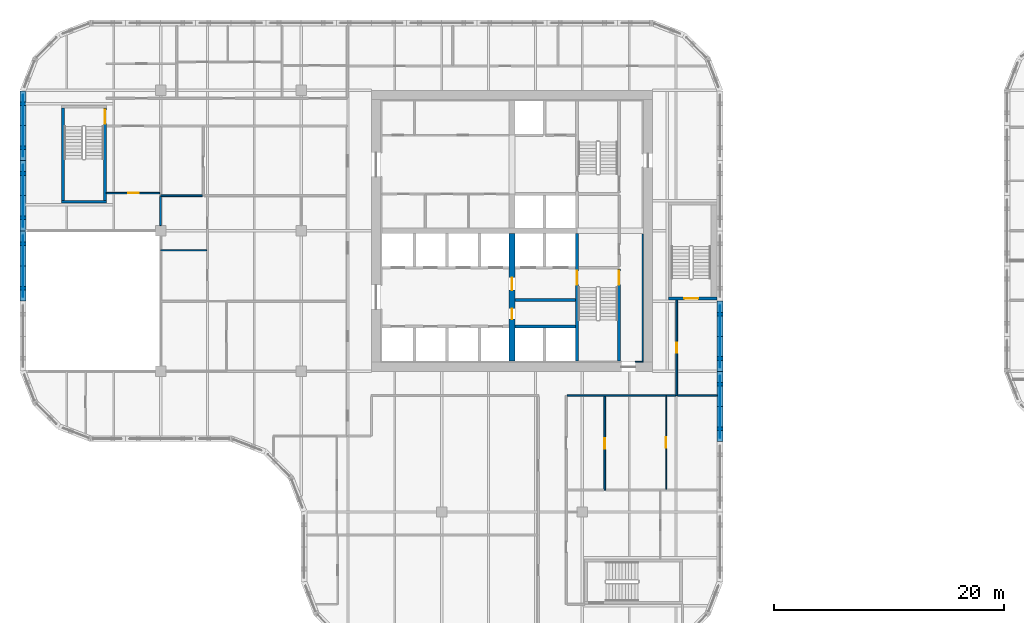
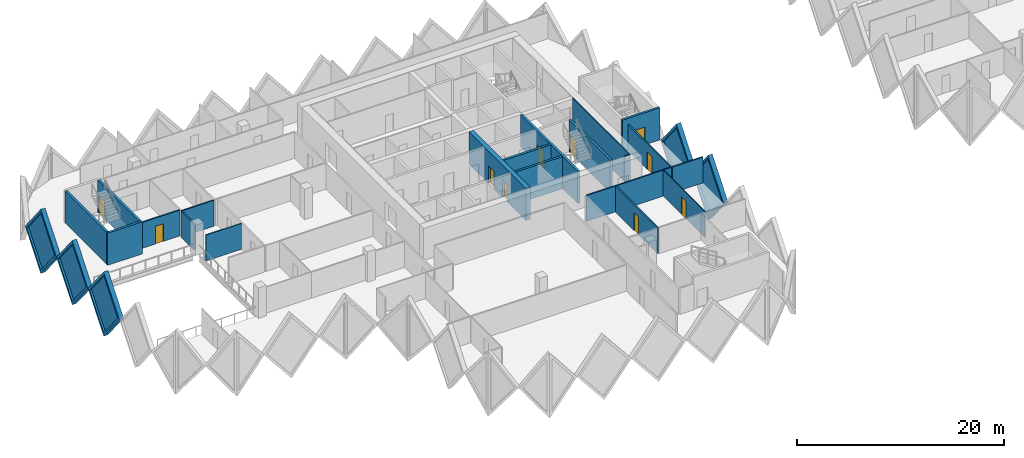
# One storey, part 7 of 18: 25 walls, 10 doors, 5 plates, 15 openings.
"""IFC4 building model written with IfcOpenShell, lengths in metres."""

from ifc_helpers import new_model, si_unit, direction, frame, frame_2d, origin, place, context, subcontext, project, spatial, polyline, rectangle, outline, extrude, faceted_brep, source, transform, mapped, material, layer, layer_set, type_object, element, fill, save


model = new_model("IFC4")

# Units and contexts
model_context = context("Model", 3, precision=1e-05, world=origin(), true_north=direction((0.0, 1.0)))
body_context = subcontext(model_context, "Body", "Model", "MODEL_VIEW")
ifc_project = project(units=[si_unit("LENGTHUNIT", "METRE"), si_unit("AREAUNIT", "SQUARE_METRE"), si_unit("VOLUMEUNIT", "CUBIC_METRE"), si_unit("PLANEANGLEUNIT", "RADIAN"), si_unit("MASSUNIT", "GRAM", prefix="KILO")], contexts=[model_context])

# Site, building, storey
site_placement = place(None, origin())
site = spatial("IfcSite", under=ifc_project, at=site_placement, CompositionType="ELEMENT")
building_placement = place(site_placement, origin())
building = spatial("IfcBuilding", under=site, at=building_placement, Name="Tessera Gate Towers", CompositionType="ELEMENT")
storey_placement = place(building_placement, frame((0.0, 0.0, 99.0)))
storey = spatial("IfcBuildingStorey", under=building, at=storey_placement, Name="L24", CompositionType="ELEMENT", Elevation=99.0)

# Wall, opening, door
ifc_material_1 = material(Name="Concrete C40/50", Category="concrete")
ifc_layer_1 = layer(ifc_material_1, 0.25)
ifc_layer_set_1 = layer_set([ifc_layer_1], Name="CORE ENCLOSURE WALL 250")
wall_type_1 = type_object("IfcWallType", Name="CORE ENCLOSURE WALL 250", PredefinedType="SOLIDWALL", material=ifc_layer_set_1)
wall_1_placement = place(storey_placement, frame((48.35009765625, 36.35009765625, 0.0), z_axis=(0.0, 0.0, 1.0), x_axis=(0.0, -1.0, 0.0)))
wall_1 = element("IfcWall", 1, at=wall_1_placement, inside=storey, type_object=wall_type_1, Name="L24 shaft and stair enclosure wall", PredefinedType="SOLIDWALL", context=body_context, shape_type="SweptSolid", body=[
    extrude(rectangle(XDim=11.050048828125, YDim=0.25, at=frame_2d((5.52490234375, 0.0))), origin(), (0.0, 0.0, 1.0), 3.800048828125),
])
shared_shape_1 = source(origin(), body_context, "Body", "SweptSolid", [
    extrude(rectangle(XDim=1.199951171875, YDim=2.10009765625, at=frame_2d((0.60009765625, 1.050048828125))), frame((0.0, 0.135009765625, 0.0), z_axis=(0.0, -1.0, 0.0), x_axis=(1.0, 0.0, 0.0)), (0.0, 0.0, 1.0), 0.27001953125),
])
opening_1_placement = place(wall_1_placement, frame((3.22509765625, 0.0, 0.0)))
opening_1 = element("IfcOpeningElement", 2, at=opening_1_placement, cuts=wall_1, Name="Opening SD-ST1-1", PredefinedType="OPENING", context=body_context, shape_type="MappedRepresentation", body=[
    mapped(shared_shape_1, transform((0.0, 0.0, 0.0), scale=1.0)),
])
ifc_material_2 = material(Name="Hollow steel fire door", Category="steel")
door_type_1 = type_object("IfcDoorType", Name="CORE DOOR SD 1200x2100", OperationType="NOTDEFINED", PredefinedType="DOOR", material=ifc_material_2)
shared_shape_2 = source(origin(), body_context, "Body", "SweptSolid", [
    extrude(rectangle(XDim=1.199951171875, YDim=2.10009765625, at=frame_2d((0.60009765625, 1.050048828125))), frame((0.0, 0.02490234375, 0.0), z_axis=(0.0, -1.0, 0.0), x_axis=(1.0, 0.0, 0.0)), (0.0, 0.0, 1.0), 0.050048828125),
])
door_1_placement = place(opening_1_placement, origin())
door_1 = element("IfcDoor", 3, at=door_1_placement, inside=storey, type_object=door_type_1, Name="Stair door", OperationType="SINGLE_SWING_LEFT", OverallHeight=2.10009765625, OverallWidth=1.199951171875, PredefinedType="DOOR", context=body_context, shape_type="MappedRepresentation", body=[
    mapped(shared_shape_2, transform((0.0, 0.0, 0.0), scale=1.0)),
])
fill(opening_1, door_1)

# Wall
wall_2_placement = place(storey_placement, frame((42.949951171875, 28.300048828125, 0.0), z_axis=(0.0, 0.0, 1.0), x_axis=(1.0, 0.0, 0.0)))
element("IfcWall", 4, at=wall_2_placement, inside=storey, type_object=wall_type_1, Name="L24 shaft and stair enclosure wall", PredefinedType="SOLIDWALL", context=body_context, shape_type="SweptSolid", body=[
    extrude(rectangle(XDim=5.275146484375, YDim=0.25, at=frame_2d((2.6376953125, 0.0))), origin(), (0.0, 0.0, 1.0), 3.800048828125),
])

# Wall, opening, door
wall_3_placement = place(storey_placement, frame((52.0, 25.300048828125, 0.0), z_axis=(0.0, 0.0, 1.0), x_axis=(0.0, 1.0, 0.0)))
wall_3 = element("IfcWall", 5, at=wall_3_placement, inside=storey, type_object=wall_type_1, Name="L24 shaft and stair enclosure wall", PredefinedType="SOLIDWALL", context=body_context, shape_type="SweptSolid", body=[
    extrude(rectangle(XDim=7.974853515625, YDim=0.25, at=frame_2d((3.9873046875, 0.0))), origin(), (0.0, 0.0, 1.0), 3.800048828125),
])
opening_2_placement = place(wall_3_placement, frame((6.625, 0.0, 0.0)))
opening_2 = element("IfcOpeningElement", 6, at=opening_2_placement, cuts=wall_3, Name="Opening SD-ST1-2", PredefinedType="OPENING", context=body_context, shape_type="MappedRepresentation", body=[
    mapped(shared_shape_1, transform((0.0, 0.0, 0.0), scale=1.0)),
])
door_2_placement = place(opening_2_placement, origin())
door_2 = element("IfcDoor", 7, at=door_2_placement, inside=storey, type_object=door_type_1, Name="Stair door", OperationType="SINGLE_SWING_RIGHT", OverallHeight=2.10009765625, OverallWidth=1.199951171875, PredefinedType="DOOR", context=body_context, shape_type="MappedRepresentation", body=[
    mapped(shared_shape_2, transform((0.0, 0.0, 0.0), scale=1.0)),
])
fill(opening_2, door_2)

# Walls
wall_4_placement = place(storey_placement, frame((42.949951171875, 30.60009765625, 0.0), z_axis=(0.0, 0.0, 1.0), x_axis=(1.0, 0.0, 0.0)))
element("IfcWall", 8, at=wall_4_placement, inside=storey, type_object=wall_type_1, Name="L24 shaft and stair enclosure wall", PredefinedType="SOLIDWALL", context=body_context, shape_type="SweptSolid", body=[
    extrude(rectangle(XDim=5.275146484375, YDim=0.25, at=frame_2d((2.6376953125, 0.0))), origin(), (0.0, 0.0, 1.0), 3.800048828125),
])
wall_5_placement = place(storey_placement, frame((7.5, 39.125, 0.0), z_axis=(0.0, 0.0, 1.0), x_axis=(-1.0, 0.0, 0.0)))
element("IfcWall", 9, at=wall_5_placement, inside=storey, type_object=wall_type_1, Name="L24 ST3 enclosure wall", PredefinedType="SOLIDWALL", context=body_context, shape_type="SweptSolid", body=[
    extrude(rectangle(XDim=3.89990234375, YDim=0.25, at=frame_2d((1.949951171875, 0.0))), origin(), (0.0, 0.0, 1.0), 3.800048828125),
])
wall_6_placement = place(storey_placement, frame((3.72509765625, 39.25, 0.0), z_axis=(0.0, 0.0, 1.0), x_axis=(0.0, 1.0, 0.0)))
element("IfcWall", 10, at=wall_6_placement, inside=storey, type_object=wall_type_1, Name="L24 ST3 enclosure wall", PredefinedType="SOLIDWALL", context=body_context, shape_type="SweptSolid", body=[
    extrude(rectangle(XDim=8.0, YDim=0.25, at=frame_2d((4.0, 0.0))), origin(), (0.0, 0.0, 1.0), 3.800048828125),
])

# Wall, opening, door
wall_7_placement = place(storey_placement, frame((7.375, 47.25, 0.0), z_axis=(0.0, 0.0, 1.0), x_axis=(0.0, -1.0, 0.0)))
wall_7 = element("IfcWall", 11, at=wall_7_placement, inside=storey, type_object=wall_type_1, Name="L24 ST3 enclosure wall", PredefinedType="SOLIDWALL", context=body_context, shape_type="SweptSolid", body=[
    extrude(rectangle(XDim=8.0, YDim=0.25, at=frame_2d((4.0, 0.0))), origin(), (0.0, 0.0, 1.0), 3.800048828125),
])
opening_3_placement = place(wall_7_placement, frame((0.14990234375, 0.0, 0.0)))
opening_3 = element("IfcOpeningElement", 12, at=opening_3_placement, cuts=wall_7, Name="Opening SD-ST3-1", PredefinedType="OPENING", context=body_context, shape_type="MappedRepresentation", body=[
    mapped(shared_shape_1, transform((0.0, 0.0, 0.0), scale=1.0)),
])
door_3_placement = place(opening_3_placement, origin())
door_3 = element("IfcDoor", 13, at=door_3_placement, inside=storey, type_object=door_type_1, Name="Stair door", OperationType="SINGLE_SWING_LEFT", OverallHeight=2.10009765625, OverallWidth=1.199951171875, PredefinedType="DOOR", context=body_context, shape_type="MappedRepresentation", body=[
    mapped(shared_shape_2, transform((0.0, 0.0, 0.0), scale=1.0)),
])
fill(opening_3, door_3)

wall_8_placement = place(storey_placement, frame((60.5, 30.72509765625, 0.0), z_axis=(0.0, 0.0, 1.0), x_axis=(-1.0, 0.0, 0.0)))
wall_8 = element("IfcWall", 14, at=wall_8_placement, inside=storey, type_object=wall_type_1, Name="L24 ST5 enclosure wall", PredefinedType="SOLIDWALL", context=body_context, shape_type="SweptSolid", body=[
    extrude(rectangle(XDim=4.199951171875, YDim=0.25, at=frame_2d((2.10009765625, 0.0))), origin(), (0.0, 0.0, 1.0), 3.800048828125),
])
opening_4_placement = place(wall_8_placement, frame((1.64990234375, 0.0, 0.0)))
opening_4 = element("IfcOpeningElement", 15, at=opening_4_placement, cuts=wall_8, Name="Opening SD-ST5-1", PredefinedType="OPENING", context=body_context, shape_type="MappedRepresentation", body=[
    mapped(shared_shape_1, transform((0.0, 0.0, 0.0), scale=1.0)),
])
door_4_placement = place(opening_4_placement, origin())
door_4 = element("IfcDoor", 16, at=door_4_placement, inside=storey, type_object=door_type_1, Name="Stair door", OperationType="SINGLE_SWING_RIGHT", OverallHeight=2.10009765625, OverallWidth=1.199951171875, PredefinedType="DOOR", context=body_context, shape_type="MappedRepresentation", body=[
    mapped(shared_shape_2, transform((0.0, 0.0, 0.0), scale=1.0)),
])
fill(opening_4, door_4)

# Wall, openings, doors
ifc_material_3 = material(Name="Concrete C60/75", Category="concrete")
ifc_layer_2 = layer(ifc_material_3, 0.5)
ifc_layer_set_2 = layer_set([ifc_layer_2], Name="CORE SPINE WALL 500 C60/75")
wall_type_2 = type_object("IfcWallType", Name="CORE SPINE WALL 500 C60/75", PredefinedType="SHEAR", material=ifc_layer_set_2)
wall_9_placement = place(storey_placement, frame((42.699951171875, 36.35009765625, 0.0), z_axis=(0.0, 0.0, 1.0), x_axis=(0.0, -1.0, 0.0)))
wall_9 = element("IfcWall", 17, at=wall_9_placement, inside=storey, type_object=wall_type_2, Name="Core wall spine L24", PredefinedType="SHEAR", context=body_context, shape_type="SweptSolid", body=[
    extrude(rectangle(XDim=11.050048828125, YDim=0.5, at=frame_2d((5.52490234375, 0.0))), origin(), (0.0, 0.0, 1.0), 3.800048828125),
])
shared_shape_3 = source(origin(), body_context, "Body", "SweptSolid", [
    extrude(rectangle(XDim=0.89990234375, YDim=2.10009765625, at=frame_2d((0.449951171875, 1.050048828125))), frame((0.0, 0.260009765625, 0.0), z_axis=(0.0, -1.0, 0.0), x_axis=(1.0, 0.0, 0.0)), (0.0, 0.0, 1.0), 0.52001953125),
])
opening_5_placement = place(wall_9_placement, frame((6.5, 0.0, 0.0)))
opening_5 = element("IfcOpeningElement", 18, at=opening_5_placement, cuts=wall_9, Name="Opening RD-T1-16-05", PredefinedType="OPENING", context=body_context, shape_type="MappedRepresentation", body=[
    mapped(shared_shape_3, transform((0.0, 0.0, 0.0), scale=1.0)),
])
shared_shape_4 = source(origin(), body_context, "Body", "SweptSolid", [
    extrude(rectangle(XDim=1.10009765625, YDim=2.10009765625, at=frame_2d((0.550048828125, 1.050048828125))), frame((0.0, 0.260009765625, 0.0), z_axis=(0.0, -1.0, 0.0), x_axis=(1.0, 0.0, 0.0)), (0.0, 0.0, 1.0), 0.52001953125),
])
opening_6_placement = place(wall_9_placement, frame((3.800048828125, 0.0, 0.0)))
opening_6 = element("IfcOpeningElement", 19, at=opening_6_placement, cuts=wall_9, Name="Opening FD-T1-16-06", PredefinedType="OPENING", context=body_context, shape_type="MappedRepresentation", body=[
    mapped(shared_shape_4, transform((0.0, 0.0, 0.0), scale=1.0)),
])
ifc_material_4 = material(Name="Hollow steel fire door", Category="steel")
door_type_2 = type_object("IfcDoorType", Name="CORE DOOR RD 900x2100", OperationType="NOTDEFINED", PredefinedType="DOOR", material=ifc_material_4)
shared_shape_5 = source(origin(), body_context, "Body", "SweptSolid", [
    extrude(rectangle(XDim=0.89990234375, YDim=2.10009765625, at=frame_2d((0.449951171875, 1.050048828125))), frame((0.0, 0.02490234375, 0.0), z_axis=(0.0, -1.0, 0.0), x_axis=(1.0, 0.0, 0.0)), (0.0, 0.0, 1.0), 0.050048828125),
])
door_5_placement = place(opening_5_placement, origin())
door_5 = element("IfcDoor", 20, at=door_5_placement, inside=storey, type_object=door_type_2, Name="Core room door", OperationType="SINGLE_SWING_RIGHT", OverallHeight=2.10009765625, OverallWidth=0.89990234375, PredefinedType="DOOR", context=body_context, shape_type="MappedRepresentation", body=[
    mapped(shared_shape_5, transform((0.0, 0.0, 0.0), scale=1.0)),
])
fill(opening_5, door_5)
ifc_material_5 = material(Name="Hollow steel fire door", Category="steel")
door_type_3 = type_object("IfcDoorType", Name="CORE DOOR FD 1100x2100", OperationType="NOTDEFINED", PredefinedType="DOOR", material=ifc_material_5)
shared_shape_6 = source(origin(), body_context, "Body", "SweptSolid", [
    extrude(rectangle(XDim=1.10009765625, YDim=2.10009765625, at=frame_2d((0.550048828125, 1.050048828125))), frame((0.0, 0.02490234375, 0.0), z_axis=(0.0, -1.0, 0.0), x_axis=(1.0, 0.0, 0.0)), (0.0, 0.0, 1.0), 0.050048828125),
])
door_6_placement = place(opening_6_placement, origin())
door_6 = element("IfcDoor", 21, at=door_6_placement, inside=storey, type_object=door_type_3, Name="Fire-fighting lobby door", OperationType="SINGLE_SWING_LEFT", OverallHeight=2.10009765625, OverallWidth=1.10009765625, PredefinedType="DOOR", context=body_context, shape_type="MappedRepresentation", body=[
    mapped(shared_shape_6, transform((0.0, 0.0, 0.0), scale=1.0)),
])
fill(opening_6, door_6)

# Walls
ifc_material_6 = material(Name="Concrete C60/75", Category="concrete")
ifc_layer_3 = layer(ifc_material_6, 0.10009765625)
ifc_layer_set_3 = layer_set([ifc_layer_3], Name="CORE WALL THICKENING 100")
wall_type_3 = type_object("IfcWallType", Name="CORE WALL THICKENING 100", PredefinedType="SOLIDWALL", material=ifc_layer_set_3)
wall_10_placement = place(storey_placement, frame((53.39990234375, 25.25, 0.0), z_axis=(0.0, 0.0, 1.0), x_axis=(1.0, 0.0, 0.0)))
element("IfcWall", 22, at=wall_10_placement, inside=storey, type_object=wall_type_3, Name="Core wall thickening S L24", PredefinedType="SOLIDWALL", context=body_context, shape_type="SweptSolid", body=[
    extrude(rectangle(XDim=0.7001953125, YDim=0.10009765625, at=frame_2d((0.35009765625, 0.0))), origin(), (0.0, 0.0, 1.0), 3.800048828125),
])
wall_11_placement = place(storey_placement, frame((54.050048828125, 25.300048828125, 0.0), z_axis=(0.0, 0.0, 1.0), x_axis=(0.0, 1.0, 0.0)))
element("IfcWall", 23, at=wall_11_placement, inside=storey, type_object=wall_type_3, Name="Core wall thickening E L24", PredefinedType="SOLIDWALL", context=body_context, shape_type="SweptSolid", body=[
    extrude(rectangle(XDim=11.02001953125, YDim=0.10009765625, at=frame_2d((5.510009765625, 0.0))), origin(), (0.0, 0.0, 1.0), 3.800048828125),
])
ifc_material_7 = material(Name="Gypsum board on steel studs, mineral wool", Category="steel")
ifc_layer_4 = layer(ifc_material_7, 0.14990234375)
ifc_layer_set_4 = layer_set([ifc_layer_4], Name="CORRIDOR WALL 150")
wall_type_4 = type_object("IfcWallType", Name="CORRIDOR WALL 150", PredefinedType="PARTITIONING", material=ifc_layer_set_4)
wall_12_placement = place(storey_placement, frame((47.47607421875, 22.300048828125, 0.0), z_axis=(0.0, 0.0, 1.0), x_axis=(1.0, 0.0, 0.0)))
element("IfcWall", 24, at=wall_12_placement, inside=storey, type_object=wall_type_4, Name="T1-L24-PW-024", PredefinedType="PARTITIONING", context=body_context, shape_type="SweptSolid", body=[
    extrude(rectangle(XDim=9.447998046875, YDim=0.14990234375, at=frame_2d((4.72412109375, 0.0))), origin(), (0.0, 0.0, 1.0), 3.06689453125),
])

# Wall, opening, door
wall_13_placement = place(storey_placement, frame((57.0, 30.60009765625, 0.0), z_axis=(0.0, 0.0, 1.0), x_axis=(0.0, -1.0, 0.0)))
wall_13 = element("IfcWall", 25, at=wall_13_placement, inside=storey, type_object=wall_type_4, Name="T1-L24-PW-025", PredefinedType="PARTITIONING", context=body_context, shape_type="SweptSolid", body=[
    extrude(rectangle(XDim=8.300048828125, YDim=0.14990234375, at=frame_2d((4.14990234375, 0.0))), origin(), (0.0, 0.0, 1.0), 3.06689453125),
])
shared_shape_7 = source(origin(), body_context, "Body", "SweptSolid", [
    extrude(rectangle(XDim=0.89990234375, YDim=2.10009765625, at=frame_2d((0.449951171875, 1.050048828125))), frame((0.0, 0.0849609375, 0.0), z_axis=(0.0, -1.0, 0.0), x_axis=(1.0, 0.0, 0.0)), (0.0, 0.0, 1.0), 0.169921875),
])
opening_7_placement = place(wall_13_placement, frame((3.699951171875, 0.0, 0.0)))
opening_7 = element("IfcOpeningElement", 26, at=opening_7_placement, cuts=wall_13, Name="Opening D890FD60-A09-06", PredefinedType="OPENING", context=body_context, shape_type="MappedRepresentation", body=[
    mapped(shared_shape_7, transform((0.0, 0.0, 0.0), scale=1.0)),
])
ifc_material_8 = material(Name="Timber door leaf in steel frame", Category="steel")
door_type_4 = type_object("IfcDoorType", Name="CORRIDOR DOOR 900 FD60", OperationType="NOTDEFINED", PredefinedType="DOOR", material=ifc_material_8)
door_7_placement = place(opening_7_placement, origin())
door_7 = element("IfcDoor", 27, at=door_7_placement, inside=storey, type_object=door_type_4, Name="T1-L24-PD-023", OperationType="SINGLE_SWING_RIGHT", OverallHeight=2.10009765625, OverallWidth=0.89990234375, PredefinedType="DOOR", context=body_context, shape_type="MappedRepresentation", body=[
    mapped(shared_shape_5, transform((0.0, 0.0, 0.0), scale=1.0)),
])
fill(opening_7, door_7)

ifc_material_9 = material(Name="Gypsum board on steel studs", Category="steel")
ifc_layer_5 = layer(ifc_material_9, 0.10009765625)
ifc_layer_set_5 = layer_set([ifc_layer_5], Name="PARTITION 100")
wall_type_5 = type_object("IfcWallType", Name="PARTITION 100", PredefinedType="PARTITIONING", material=ifc_layer_set_5)
wall_14_placement = place(storey_placement, frame((56.076904296875, 22.22412109375, 0.0), z_axis=(0.0, 0.0, 1.0), x_axis=(0.0, -1.0, 0.0)))
wall_14 = element("IfcWall", 28, at=wall_14_placement, inside=storey, type_object=wall_type_5, Name="T1-L24-PW-015", PredefinedType="PARTITIONING", context=body_context, shape_type="SweptSolid", body=[
    extrude(rectangle(XDim=8.048095703125, YDim=0.10009765625, at=frame_2d((4.02392578125, 0.0))), origin(), (0.0, 0.0, 1.0), 3.06689453125),
])
shared_shape_8 = source(origin(), body_context, "Body", "SweptSolid", [
    extrude(rectangle(XDim=0.89990234375, YDim=2.10009765625, at=frame_2d((0.449951171875, 1.050048828125))), frame((0.0, 0.06005859375, 0.0), z_axis=(0.0, -1.0, 0.0), x_axis=(1.0, 0.0, 0.0)), (0.0, 0.0, 1.0), 0.1201171875),
])
opening_8_placement = place(wall_14_placement, frame((3.548095703125, 0.0, 0.0)))
opening_8 = element("IfcOpeningElement", 29, at=opening_8_placement, cuts=wall_14, Name="Opening D190-A09-10", PredefinedType="OPENING", context=body_context, shape_type="MappedRepresentation", body=[
    mapped(shared_shape_8, transform((0.0, 0.0, 0.0), scale=1.0)),
])
ifc_material_10 = material(Name="Timber door leaf in steel frame", Category="steel")
door_type_5 = type_object("IfcDoorType", Name="INTERNAL DOOR 900 NOT RATED", OperationType="NOTDEFINED", PredefinedType="DOOR", material=ifc_material_10)
door_8_placement = place(opening_8_placement, origin())
door_8 = element("IfcDoor", 30, at=door_8_placement, inside=storey, type_object=door_type_5, Name="T1-L24-PD-020", OperationType="SINGLE_SWING_RIGHT", OverallHeight=2.10009765625, OverallWidth=0.89990234375, PredefinedType="DOOR", context=body_context, shape_type="MappedRepresentation", body=[
    mapped(shared_shape_5, transform((0.0, 0.0, 0.0), scale=1.0)),
])
fill(opening_8, door_8)

# Wall
wall_15_placement = place(storey_placement, frame((12.199951171875, 34.919921875, 0.0), z_axis=(0.0, 0.0, 1.0), x_axis=(1.0, 0.0, 0.0)))
element("IfcWall", 31, at=wall_15_placement, inside=storey, type_object=wall_type_5, Name="T1-L24-PW-035", PredefinedType="PARTITIONING", context=body_context, shape_type="SweptSolid", body=[
    extrude(rectangle(XDim=3.9990234375, YDim=0.10009765625, at=frame_2d((1.99951171875, 0.0))), origin(), (0.0, 0.0, 1.0), 3.06689453125),
])

# Wall, opening, door
ifc_material_11 = material(Name="Gypsum board on steel studs, mineral wool", Category="steel")
ifc_layer_6 = layer(ifc_material_11, 0.14990234375)
ifc_layer_set_6 = layer_set([ifc_layer_6], Name="TENANCY WALL 150")
wall_type_6 = type_object("IfcWallType", Name="TENANCY WALL 150", PredefinedType="PARTITIONING", material=ifc_layer_set_6)
wall_16_placement = place(storey_placement, frame((50.75, 22.22412109375, 0.0), z_axis=(0.0, 0.0, 1.0), x_axis=(0.0, -1.0, 0.0)))
wall_16 = element("IfcWall", 32, at=wall_16_placement, inside=storey, type_object=wall_type_6, Name="T1-L24-PW-013", PredefinedType="PARTITIONING", context=body_context, shape_type="SweptSolid", body=[
    extrude(rectangle(XDim=8.1240234375, YDim=0.14990234375, at=frame_2d((4.06201171875, 0.0))), origin(), (0.0, 0.0, 1.0), 3.06689453125),
])
opening_9_placement = place(wall_16_placement, frame((3.6240234375, 0.0, 0.0)))
opening_9 = element("IfcOpeningElement", 33, at=opening_9_placement, cuts=wall_16, Name="Opening D190-A09-11", PredefinedType="OPENING", context=body_context, shape_type="MappedRepresentation", body=[
    mapped(shared_shape_7, transform((0.0, 0.0, 0.0), scale=1.0)),
])
door_9_placement = place(opening_9_placement, origin())
door_9 = element("IfcDoor", 34, at=door_9_placement, inside=storey, type_object=door_type_5, Name="T1-L24-PD-021", OperationType="SINGLE_SWING_RIGHT", OverallHeight=2.10009765625, OverallWidth=0.89990234375, PredefinedType="DOOR", context=body_context, shape_type="MappedRepresentation", body=[
    mapped(shared_shape_5, transform((0.0, 0.0, 0.0), scale=1.0)),
])
fill(opening_9, door_9)

# Walls
wall_17_placement = place(storey_placement, frame((57.075927734375, 22.300048828125, 0.0), z_axis=(0.0, 0.0, 1.0), x_axis=(1.0, 0.0, 0.0)))
element("IfcWall", 35, at=wall_17_placement, inside=storey, type_object=wall_type_6, Name="T1-L24-PW-026", PredefinedType="PARTITIONING", context=body_context, shape_type="SweptSolid", body=[
    extrude(rectangle(XDim=3.424072265625, YDim=0.14990234375, at=frame_2d((1.7119140625, 0.0))), origin(), (0.0, 0.0, 1.0), 3.06689453125),
])
wall_18_placement = place(storey_placement, frame((12.199951171875, 37.051025390625, 0.0), z_axis=(0.0, 0.0, 1.0), x_axis=(0.0, 1.0, 0.0)))
element("IfcWall", 36, at=wall_18_placement, inside=storey, type_object=wall_type_6, Name="T1-L24-PW-036", PredefinedType="PARTITIONING", context=body_context, shape_type="SweptSolid", body=[
    extrude(rectangle(XDim=2.52294921875, YDim=0.14990234375, at=frame_2d((1.261474609375, 0.0))), origin(), (0.0, 0.0, 1.0), 3.06689453125),
])
wall_19_placement = place(storey_placement, frame((12.199951171875, 39.64990234375, 0.0), z_axis=(0.0, 0.0, 1.0), x_axis=(1.0, 0.0, 0.0)))
element("IfcWall", 37, at=wall_19_placement, inside=storey, type_object=wall_type_6, Name="T1-L24-PW-038", PredefinedType="PARTITIONING", context=body_context, shape_type="SweptSolid", body=[
    extrude(rectangle(XDim=3.6240234375, YDim=0.14990234375, at=frame_2d((1.81201171875, 0.0))), origin(), (0.0, 0.0, 1.0), 3.06689453125),
])

# Wall, opening, door
wall_20_placement = place(storey_placement, frame((12.1240234375, 39.875, 0.0), z_axis=(0.0, 0.0, 1.0), x_axis=(-1.0, 0.0, 0.0)))
wall_20 = element("IfcWall", 38, at=wall_20_placement, inside=storey, type_object=wall_type_6, Name="T1-L24-PW-041", PredefinedType="PARTITIONING", context=body_context, shape_type="SweptSolid", body=[
    extrude(rectangle(XDim=4.6240234375, YDim=0.14990234375, at=frame_2d((2.31201171875, 0.0))), origin(), (0.0, 0.0, 1.0), 3.06689453125),
])
opening_10_placement = place(wall_20_placement, frame((1.823974609375, 0.0, 0.0)))
opening_10 = element("IfcOpeningElement", 39, at=opening_10_placement, cuts=wall_20, Name="Opening D190-A09-03", PredefinedType="OPENING", context=body_context, shape_type="MappedRepresentation", body=[
    mapped(shared_shape_7, transform((0.0, 0.0, 0.0), scale=1.0)),
])
door_10_placement = place(opening_10_placement, origin())
door_10 = element("IfcDoor", 40, at=door_10_placement, inside=storey, type_object=door_type_5, Name="T1-L24-PD-004", OperationType="SINGLE_SWING_RIGHT", OverallHeight=2.10009765625, OverallWidth=0.89990234375, PredefinedType="DOOR", context=body_context, shape_type="MappedRepresentation", body=[
    mapped(shared_shape_5, transform((0.0, 0.0, 0.0), scale=1.0)),
])
fill(opening_10, door_10)

# Wall, opening, plate
ifc_material_12 = material(Name="Precast concrete C60/75 white", Category="concrete")
ifc_layer_7 = layer(ifc_material_12, 0.5)
ifc_layer_set_7 = layer_set([ifc_layer_7], Name="TS1 tessera")
wall_type_7 = type_object("IfcWallType", Name="TS1 tessera", PredefinedType="SOLIDWALL", material=ifc_layer_set_7)
shared_shape_9 = source(origin(), body_context, "Body", "Brep", [
    faceted_brep([(3.00341796875, -0.25, 0.0), (6.053466796875, -0.25, 3.800048828125), (3.00341796875, -0.25, 7.60009765625), (0.0, -0.25, 3.800048828125), (0.046630859375, 0.25, 3.85888671875), (3.00341796875, 0.25, 7.60009765625), (6.053466796875, 0.25, 3.800048828125), (3.00341796875, 0.25, 0.0), (0.046630859375, 0.25, 3.7412109375), (0.0, 0.0, 3.800048828125)], [[[0, 1, 2, 3]], [[4, 5, 6, 7, 8]], [[7, 6, 1, 0]], [[6, 5, 2, 1]], [[5, 4, 9, 3, 2]], [[8, 7, 0, 3, 9]], [[8, 9, 4]]]),
])
wall_21_placement = place(storey_placement, frame((0.25, 48.75341796875, -3.800048828125), z_axis=(0.0, 0.0, 1.0), x_axis=(0.0, -1.0, 0.0)))
wall_21 = element("IfcWall", 41, at=wall_21_placement, inside=storey, type_object=wall_type_7, Name="Precast tessera T1 TS1-0408", PredefinedType="SOLIDWALL", context=body_context, shape_type="MappedRepresentation", body=[
    mapped(shared_shape_9, transform((0.0, 0.0, 0.0), scale=1.0)),
])
shared_shape_10 = source(origin(), body_context, "Body", "SweptSolid", [
    extrude(outline(polyline([(3.0048828125, 0.4013671875), (5.73291015625, 3.800048828125), (3.0048828125, 7.19873046875), (0.318603515625, 3.800048828125), (3.0048828125, 0.4013671875)])), frame((0.0, 0.260009765625, 0.0), z_axis=(0.0, -1.0, 0.0), x_axis=(1.0, 0.0, 0.0)), (0.0, 0.0, 1.0), 0.52001953125),
])
opening_11_placement = place(wall_21_placement, origin())
opening_11 = element("IfcOpeningElement", 42, at=opening_11_placement, cuts=wall_21, Name="Opening T1-PL2-0830", PredefinedType="OPENING", context=body_context, shape_type="MappedRepresentation", body=[
    mapped(shared_shape_10, transform((0.0, 0.0, 0.0), scale=1.0)),
])
ifc_material_13 = material(Name="Low-e laminated glass", Category="glass")
ifc_layer_8 = layer(ifc_material_13, 0.06005859375)
ifc_layer_set_8 = layer_set([ifc_layer_8], Name="PL2 rhombic pane")
plate_type = type_object("IfcPlateType", Name="PL2 rhombic pane", PredefinedType="SHEET", material=ifc_layer_set_8)
shared_shape_11 = source(origin(), body_context, "Body", "SweptSolid", [
    extrude(outline(polyline([(3.0048828125, 0.4013671875), (5.73291015625, 3.800048828125), (3.0048828125, 7.19873046875), (0.318603515625, 3.800048828125), (3.0048828125, 0.4013671875)])), frame((0.0, 0.030029296875, 0.0), z_axis=(0.0, -1.0, 0.0), x_axis=(1.0, 0.0, 0.0)), (0.0, 0.0, 1.0), 0.06005859375),
])
plate_1_placement = place(opening_11_placement, origin())
plate_1 = element("IfcPlate", 43, at=plate_1_placement, inside=storey, type_object=plate_type, Name="Glass pane T1 PL2-0830", PredefinedType="SHEET", context=body_context, shape_type="MappedRepresentation", body=[
    mapped(shared_shape_11, transform((0.0, 0.0, 0.0), scale=1.0)),
])
fill(opening_11, plate_1)

shared_shape_12 = source(origin(), body_context, "Body", "Brep", [
    faceted_brep([(3.050048828125, -0.25, 0.0), (6.099853515625, -0.25, 3.7998046875), (6.099853515625, -0.25, 3.80029296875), (3.050048828125, -0.25, 7.60009765625), (0.0, -0.25, 3.800048828125), (0.0, 0.25, 3.800048828125), (3.050048828125, 0.25, 7.60009765625), (6.099853515625, 0.25, 3.80029296875), (6.099853515625, 0.25, 3.7998046875), (3.050048828125, 0.25, 0.0)], [[[0, 1, 2, 3, 4]], [[5, 6, 7, 8, 9]], [[9, 8, 1, 0]], [[7, 6, 3, 2]], [[6, 5, 4, 3]], [[5, 9, 0, 4]], [[1, 8, 7, 2]]]),
])
wall_22_placement = place(storey_placement, frame((60.75, 18.300048828125, -3.800048828125), z_axis=(0.0, 0.0, 1.0), x_axis=(0.0, 1.0, 0.0)))
wall_22 = element("IfcWall", 44, at=wall_22_placement, inside=storey, type_object=wall_type_7, Name="Precast tessera T1 TS1-0396", PredefinedType="SOLIDWALL", context=body_context, shape_type="MappedRepresentation", body=[
    mapped(shared_shape_12, transform((0.0, 0.0, 0.0), scale=1.0)),
])
shared_shape_13 = source(origin(), body_context, "Body", "SweptSolid", [
    extrude(outline(polyline([(3.050048828125, 0.3994140625), (5.779541015625, 3.800048828125), (3.050048828125, 7.20068359375), (0.320556640625, 3.800048828125), (3.050048828125, 0.3994140625)])), frame((0.0, 0.260009765625, 0.0), z_axis=(0.0, -1.0, 0.0), x_axis=(1.0, 0.0, 0.0)), (0.0, 0.0, 1.0), 0.52001953125),
])
opening_12_placement = place(wall_22_placement, origin())
opening_12 = element("IfcOpeningElement", 45, at=opening_12_placement, cuts=wall_22, Name="Opening T1-PL2-0810", PredefinedType="OPENING", context=body_context, shape_type="MappedRepresentation", body=[
    mapped(shared_shape_13, transform((0.0, 0.0, 0.0), scale=1.0)),
])
shared_shape_14 = source(origin(), body_context, "Body", "SweptSolid", [
    extrude(outline(polyline([(3.050048828125, 0.3994140625), (5.779541015625, 3.800048828125), (3.050048828125, 7.20068359375), (0.320556640625, 3.800048828125), (3.050048828125, 0.3994140625)])), frame((0.0, 0.030029296875, 0.0), z_axis=(0.0, -1.0, 0.0), x_axis=(1.0, 0.0, 0.0)), (0.0, 0.0, 1.0), 0.06005859375),
])
plate_2_placement = place(opening_12_placement, origin())
plate_2 = element("IfcPlate", 46, at=plate_2_placement, inside=storey, type_object=plate_type, Name="Glass pane T1 PL2-0810", PredefinedType="SHEET", context=body_context, shape_type="MappedRepresentation", body=[
    mapped(shared_shape_14, transform((0.0, 0.0, 0.0), scale=1.0)),
])
fill(opening_12, plate_2)

wall_23_placement = place(storey_placement, frame((0.25, 42.699951171875, -3.800048828125), z_axis=(0.0, 0.0, 1.0), x_axis=(0.0, -1.0, 0.0)))
wall_23 = element("IfcWall", 47, at=wall_23_placement, inside=storey, type_object=wall_type_7, Name="Precast tessera T1 TS1-0409", PredefinedType="SOLIDWALL", context=body_context, shape_type="MappedRepresentation", body=[
    mapped(shared_shape_12, transform((0.0, 0.0, 0.0), scale=1.0)),
])
opening_13_placement = place(wall_23_placement, origin())
opening_13 = element("IfcOpeningElement", 48, at=opening_13_placement, cuts=wall_23, Name="Opening T1-PL2-0831", PredefinedType="OPENING", context=body_context, shape_type="MappedRepresentation", body=[
    mapped(shared_shape_13, transform((0.0, 0.0, 0.0), scale=1.0)),
])
plate_3_placement = place(opening_13_placement, origin())
plate_3 = element("IfcPlate", 49, at=plate_3_placement, inside=storey, type_object=plate_type, Name="Glass pane T1 PL2-0831", PredefinedType="SHEET", context=body_context, shape_type="MappedRepresentation", body=[
    mapped(shared_shape_14, transform((0.0, 0.0, 0.0), scale=1.0)),
])
fill(opening_13, plate_3)

shared_shape_15 = source(origin(), body_context, "Body", "SweptSolid", [
    extrude(outline(polyline([(3.050048828125, 0.0), (6.10009765625, 3.800048828125), (3.050048828125, 7.60009765625), (0.0, 3.800048828125), (3.050048828125, 0.0)])), frame((0.0, 0.25, 0.0), z_axis=(0.0, -1.0, 0.0), x_axis=(1.0, 0.0, 0.0)), (0.0, 0.0, 1.0), 0.5),
])
wall_24_placement = place(storey_placement, frame((60.75, 24.39990234375, -3.800048828125), z_axis=(0.0, 0.0, 1.0), x_axis=(0.0, 1.0, 0.0)))
wall_24 = element("IfcWall", 50, at=wall_24_placement, inside=storey, type_object=wall_type_7, Name="Precast tessera T1 TS1-0397", PredefinedType="SOLIDWALL", context=body_context, shape_type="MappedRepresentation", body=[
    mapped(shared_shape_15, transform((0.0, 0.0, 0.0), scale=1.0)),
])
opening_14_placement = place(wall_24_placement, origin())
opening_14 = element("IfcOpeningElement", 51, at=opening_14_placement, cuts=wall_24, Name="Opening T1-PL2-0811", PredefinedType="OPENING", context=body_context, shape_type="MappedRepresentation", body=[
    mapped(shared_shape_13, transform((0.0, 0.0, 0.0), scale=1.0)),
])
plate_4_placement = place(opening_14_placement, origin())
plate_4 = element("IfcPlate", 52, at=plate_4_placement, inside=storey, type_object=plate_type, Name="Glass pane T1 PL2-0811", PredefinedType="SHEET", context=body_context, shape_type="MappedRepresentation", body=[
    mapped(shared_shape_14, transform((0.0, 0.0, 0.0), scale=1.0)),
])
fill(opening_14, plate_4)

wall_25_placement = place(storey_placement, frame((0.25, 36.60009765625, -3.800048828125), z_axis=(0.0, 0.0, 1.0), x_axis=(0.0, -1.0, 0.0)))
wall_25 = element("IfcWall", 53, at=wall_25_placement, inside=storey, type_object=wall_type_7, Name="Precast tessera T1 TS1-0410", PredefinedType="SOLIDWALL", context=body_context, shape_type="MappedRepresentation", body=[
    mapped(shared_shape_15, transform((0.0, 0.0, 0.0), scale=1.0)),
])
opening_15_placement = place(wall_25_placement, origin())
opening_15 = element("IfcOpeningElement", 54, at=opening_15_placement, cuts=wall_25, Name="Opening T1-PL2-0832", PredefinedType="OPENING", context=body_context, shape_type="MappedRepresentation", body=[
    mapped(shared_shape_13, transform((0.0, 0.0, 0.0), scale=1.0)),
])
plate_5_placement = place(opening_15_placement, origin())
plate_5 = element("IfcPlate", 55, at=plate_5_placement, inside=storey, type_object=plate_type, Name="Glass pane T1 PL2-0832", PredefinedType="SHEET", context=body_context, shape_type="MappedRepresentation", body=[
    mapped(shared_shape_14, transform((0.0, 0.0, 0.0), scale=1.0)),
])
fill(opening_15, plate_5)

save(model, "model.ifc")
